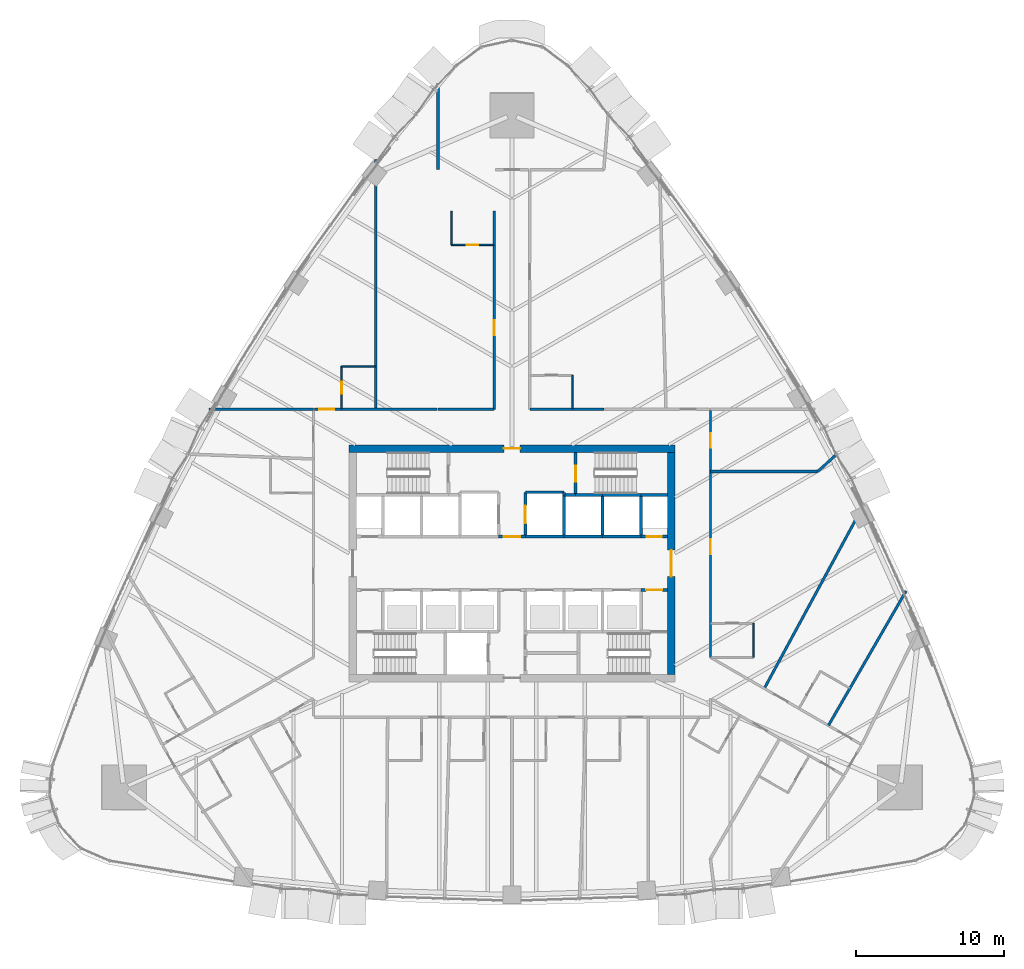
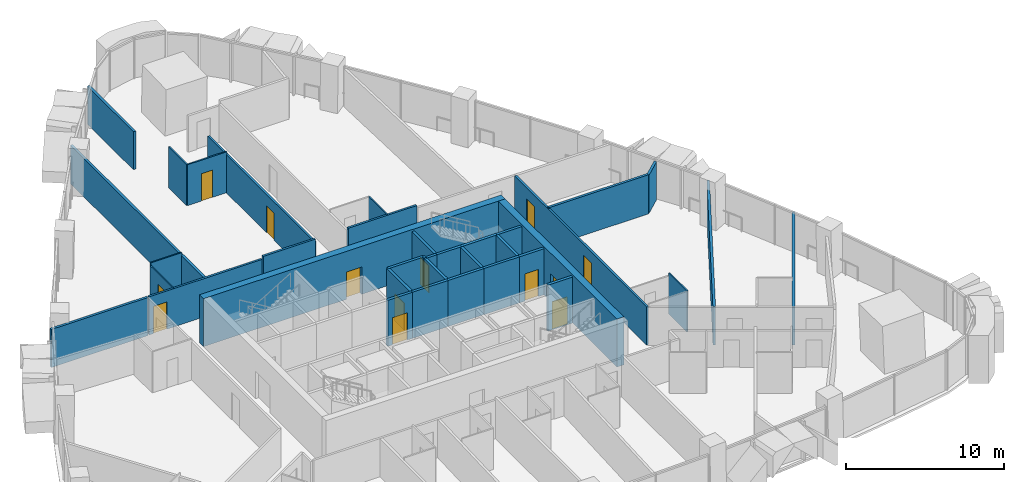
# One storey, part 13 of 18: 37 walls, 13 doors, 13 openings.
"""IFC4 building model written with IfcOpenShell, lengths in metres."""

from ifc_helpers import new_model, si_unit, direction, frame, frame_2d, origin, place, context, subcontext, project, spatial, rectangle, extrude, material, layer, layer_set, type_object, element, fill, save


model = new_model("IFC4")

# Units and contexts
model_context = context("Model", 3, precision=1e-05, world=origin(), true_north=direction((0.0, 1.0)))
body_context = subcontext(model_context, "Body", "Model", "MODEL_VIEW")
ifc_project = project(units=[si_unit("LENGTHUNIT", "METRE"), si_unit("AREAUNIT", "SQUARE_METRE"), si_unit("VOLUMEUNIT", "CUBIC_METRE"), si_unit("PLANEANGLEUNIT", "RADIAN"), si_unit("MASSUNIT", "GRAM", prefix="KILO")], contexts=[model_context])

# Site, building, storey
site_placement = place(None, origin())
site = spatial("IfcSite", under=ifc_project, at=site_placement, CompositionType="ELEMENT")
building_placement = place(site_placement, origin())
building = spatial("IfcBuilding", under=site, at=building_placement, Name="Sierra Prisma Convention Tower", CompositionType="ELEMENT")
storey_placement = place(building_placement, frame((0.0, 0.0, 81.300048828125)))
storey = spatial("IfcBuildingStorey", under=building, at=storey_placement, Name="L16", CompositionType="ELEMENT", Elevation=81.300048828125)

# Wall, opening, door
ifc_material_1 = material(Name="Gypsum board partition", Category="gypsum")
ifc_layer_1 = layer(ifc_material_1, 0.10009765625)
ifc_layer_set_1 = layer_set([ifc_layer_1], Name="Bathroom partition 100")
wall_type_1 = type_object("IfcWallType", Name="Bathroom partition 100", PredefinedType="PARTITIONING", material=ifc_layer_set_1)
wall_1_placement = place(storey_placement, frame((-11.5, 10.429931640625, 0.0), z_axis=(0.0, 0.0, 1.0), x_axis=(0.0, 1.0, 0.0)))
wall_1 = element("IfcWall", 1, at=wall_1_placement, inside=storey, type_object=wall_type_1, Name="Partition L16 bath 9", PredefinedType="PARTITIONING", context=body_context, shape_type="SweptSolid", body=[
    extrude(rectangle(XDim=2.8701171875, YDim=0.10009765625, at=frame_2d((1.43505859375, 0.0))), origin(), (0.0, 0.0, 1.0), 2.947021484375),
])
opening_1_placement = place(wall_1_placement, frame((1.034912109375, 0.0, 0.0)))
opening_1 = element("IfcOpeningElement", 2, at=opening_1_placement, cuts=wall_1, Name="Opening L16-D004", PredefinedType="OPENING", context=body_context, shape_type="SweptSolid", body=[
    extrude(rectangle(XDim=0.800048828125, YDim=2.10009765625, at=frame_2d((0.39990234375, 1.050048828125))), frame((0.0, 0.050048828125, 0.0), z_axis=(0.0, -1.0, 0.0), x_axis=(1.0, 0.0, 0.0)), (0.0, 0.0, 1.0), 0.10009765625),
])
ifc_material_2 = material(Name="Solid core timber door leaf", Category="wood")
door_type_1 = type_object("IfcDoorType", Name="Door 800x2100 plain", OperationType="SINGLE_SWING_LEFT", PredefinedType="DOOR", material=ifc_material_2)
door_1_placement = place(opening_1_placement, origin())
door_1 = element("IfcDoor", 3, at=door_1_placement, inside=storey, type_object=door_type_1, Name="Door L16 11", OperationType="SINGLE_SWING_RIGHT", OverallHeight=2.10009765625, OverallWidth=0.800048828125, PredefinedType="DOOR", context=body_context, shape_type="SweptSolid", body=[
    extrude(rectangle(XDim=0.800048828125, YDim=2.10009765625, at=frame_2d((0.39990234375, 1.050048828125))), frame((0.0, 0.02490234375, 0.0), z_axis=(0.0, -1.0, 0.0), x_axis=(1.0, 0.0, 0.0)), (0.0, 0.0, 1.0), 0.050048828125),
])
fill(opening_1, door_1)

# Wall
wall_2_placement = place(storey_placement, frame((-11.5, 13.300048828125, 0.0), z_axis=(0.0, 0.0, 1.0), x_axis=(1.0, 0.0, 0.0)))
element("IfcWall", 4, at=wall_2_placement, inside=storey, type_object=wall_type_1, Name="Partition L16 bath 10", PredefinedType="PARTITIONING", context=body_context, shape_type="SweptSolid", body=[
    extrude(rectangle(XDim=2.27001953125, YDim=0.10009765625, at=frame_2d((1.135009765625, 0.0))), origin(), (0.0, 0.0, 1.0), 3.14990234375),
])

# Wall, opening, door
wall_3_placement = place(storey_placement, frame((-1.22998046875, 21.5, 0.0), z_axis=(0.0, 0.0, 1.0), x_axis=(-1.0, 0.0, 0.0)))
wall_3 = element("IfcWall", 5, at=wall_3_placement, inside=storey, type_object=wall_type_1, Name="Partition L16 bath 15", PredefinedType="PARTITIONING", context=body_context, shape_type="SweptSolid", body=[
    extrude(rectangle(XDim=2.8701171875, YDim=0.10009765625, at=frame_2d((1.43505859375, 0.0))), origin(), (0.0, 0.0, 1.0), 3.14990234375),
])
opening_2_placement = place(wall_3_placement, frame((1.034912109375, 0.0, 0.0)))
opening_2 = element("IfcOpeningElement", 6, at=opening_2_placement, cuts=wall_3, Name="Opening L16-D003", PredefinedType="OPENING", context=body_context, shape_type="SweptSolid", body=[
    extrude(rectangle(XDim=0.800048828125, YDim=2.10009765625, at=frame_2d((0.39990234375, 1.050048828125))), frame((0.0, 0.050048828125, 0.0), z_axis=(0.0, -1.0, 0.0), x_axis=(1.0, 0.0, 0.0)), (0.0, 0.0, 1.0), 0.10009765625),
])
door_2_placement = place(opening_2_placement, origin())
door_2 = element("IfcDoor", 7, at=door_2_placement, inside=storey, type_object=door_type_1, Name="Door L16 9", OperationType="SINGLE_SWING_LEFT", OverallHeight=2.10009765625, OverallWidth=0.800048828125, PredefinedType="DOOR", context=body_context, shape_type="SweptSolid", body=[
    extrude(rectangle(XDim=0.800048828125, YDim=2.10009765625, at=frame_2d((0.39990234375, 1.050048828125))), frame((0.0, 0.02490234375, 0.0), z_axis=(0.0, -1.0, 0.0), x_axis=(1.0, 0.0, 0.0)), (0.0, 0.0, 1.0), 0.050048828125),
])
fill(opening_2, door_2)

# Walls
for number, where, z_axis, x_axis, name in (
    (8, (-4.10009765625, 21.5, 0.0), (0.0, 0.0, 1.0), (0.0, 1.0, 0.0), "Partition L16 bath 16"),
    (9, (4.10009765625, 12.699951171875, 0.0), (0.0, 0.0, 1.0), (0.0, -1.0, 0.0), "Partition L16 bath 20"),
):
    element("IfcWall", number, at=place(storey_placement, frame(where, z_axis=z_axis, x_axis=x_axis)), inside=storey, type_object=wall_type_1, Name=name, PredefinedType="PARTITIONING", context=body_context, shape_type="SweptSolid", body=[
        extrude(rectangle(XDim=2.27001953125, YDim=0.10009765625, at=frame_2d((1.135009765625, 0.0))), origin(), (0.0, 0.0, 1.0), 3.14990234375),
    ])
wall_4_placement = place(storey_placement, frame((16.300048828125, -4.05078125, 0.0), z_axis=(0.0, 0.0, 1.0), x_axis=(0.0, -1.0, 0.0)))
element("IfcWall", 10, at=wall_4_placement, inside=storey, type_object=wall_type_1, Name="Partition L16 bath 27", PredefinedType="PARTITIONING", context=body_context, shape_type="SweptSolid", body=[
    extrude(rectangle(XDim=2.300048828125, YDim=0.10009765625, at=frame_2d((1.14990234375, 0.0))), origin(), (0.0, 0.0, 1.0), 3.14990234375),
])

# Wall, opening, door
ifc_material_3 = material(Name="Concrete C30/37", Category="concrete")
ifc_layer_2 = layer(ifc_material_3, 0.199951171875)
ifc_layer_set_2 = layer_set([ifc_layer_2], Name="Core wall RC 200 C30/37")
wall_type_2 = type_object("IfcWallType", Name="Core wall RC 200 C30/37", PredefinedType="SOLIDWALL", material=ifc_layer_set_2)
wall_5_placement = place(storey_placement, frame((0.89990234375, 1.800048828125, 0.0), z_axis=(0.0, 0.0, 1.0), x_axis=(-1.0, 0.0, 0.0)))
wall_5 = element("IfcWall", 11, at=wall_5_placement, inside=storey, type_object=wall_type_2, Name="Core wall L16 33", PredefinedType="SOLIDWALL", context=body_context, shape_type="SweptSolid", body=[
    extrude(rectangle(XDim=1.7998046875, YDim=0.199951171875, at=frame_2d((0.89990234375, 0.0))), origin(), (0.0, 0.0, 1.0), 3.550048828125),
])
opening_3_placement = place(wall_5_placement, frame((0.35009765625, 0.0, 0.0)))
opening_3 = element("IfcOpeningElement", 12, at=opening_3_placement, cuts=wall_5, Name="Opening L16-D027", PredefinedType="OPENING", context=body_context, shape_type="SweptSolid", body=[
    extrude(rectangle(XDim=1.10009765625, YDim=2.10009765625, at=frame_2d((0.550048828125, 1.050048828125))), frame((0.0, 0.10009765625, 0.0), z_axis=(0.0, -1.0, 0.0), x_axis=(1.0, 0.0, 0.0)), (0.0, 0.0, 1.0), 0.199951171875),
])
ifc_material_4 = material(Name="Steel fire door leaf", Category="steel")
door_type_2 = type_object("IfcDoorType", Name="Door 1100x2100 FD60S", OperationType="SINGLE_SWING_LEFT", PredefinedType="DOOR", material=ifc_material_4)
door_3_placement = place(opening_3_placement, origin())
door_3 = element("IfcDoor", 13, at=door_3_placement, inside=storey, type_object=door_type_2, Name="Door L16 49", OperationType="SINGLE_SWING_RIGHT", OverallHeight=2.10009765625, OverallWidth=1.10009765625, PredefinedType="DOOR", context=body_context, shape_type="SweptSolid", body=[
    extrude(rectangle(XDim=1.10009765625, YDim=2.10009765625, at=frame_2d((0.550048828125, 1.050048828125))), frame((0.0, 0.02490234375, 0.0), z_axis=(0.0, -1.0, 0.0), x_axis=(1.0, 0.0, 0.0)), (0.0, 0.0, 1.0), 0.050048828125),
])
fill(opening_3, door_3)

# Walls
wall_6_placement = place(storey_placement, frame((3.5, 1.800048828125, 0.0), z_axis=(0.0, 0.0, 1.0), x_axis=(-1.0, 0.0, 0.0)))
element("IfcWall", 14, at=wall_6_placement, inside=storey, type_object=wall_type_2, Name="Core wall L16 40", PredefinedType="SOLIDWALL", context=body_context, shape_type="SweptSolid", body=[
    extrude(rectangle(XDim=2.60009765625, YDim=0.199951171875, at=frame_2d((1.300048828125, 0.0))), origin(), (0.0, 0.0, 1.0), 3.550048828125),
])
wall_7_placement = place(storey_placement, frame((3.5, 4.60009765625, 0.0), z_axis=(0.0, 0.0, 1.0), x_axis=(0.0, 1.0, 0.0)))
element("IfcWall", 15, at=wall_7_placement, inside=storey, type_object=wall_type_2, Name="Core wall L16 41", PredefinedType="SOLIDWALL", context=body_context, shape_type="SweptSolid", body=[
    extrude(rectangle(XDim=0.199951171875, YDim=0.199951171875, at=frame_2d((0.10009765625, 0.0))), origin(), (0.0, 0.0, 1.0), 3.550048828125),
])
wall_8_placement = place(storey_placement, frame((3.5, 4.800048828125, 0.0), z_axis=(0.0, 0.0, 1.0), x_axis=(-1.0, 0.0, 0.0)))
element("IfcWall", 16, at=wall_8_placement, inside=storey, type_object=wall_type_2, Name="Core wall L16 42", PredefinedType="SOLIDWALL", context=body_context, shape_type="SweptSolid", body=[
    extrude(rectangle(XDim=2.60009765625, YDim=0.199951171875, at=frame_2d((1.300048828125, 0.0))), origin(), (0.0, 0.0, 1.0), 3.550048828125),
])

# Wall, opening, door
wall_9_placement = place(storey_placement, frame((0.89990234375, 4.800048828125, 0.0), z_axis=(0.0, 0.0, 1.0), x_axis=(0.0, -1.0, 0.0)))
wall_9 = element("IfcWall", 17, at=wall_9_placement, inside=storey, type_object=wall_type_2, Name="Core wall L16 43", PredefinedType="SOLIDWALL", context=body_context, shape_type="SweptSolid", body=[
    extrude(rectangle(XDim=3.0, YDim=0.199951171875, at=frame_2d((1.5, 0.0))), origin(), (0.0, 0.0, 1.0), 3.550048828125),
])
opening_4_placement = place(wall_9_placement, frame((0.89990234375, 0.0, 0.0)))
opening_4 = element("IfcOpeningElement", 18, at=opening_4_placement, cuts=wall_9, Name="Opening L16-D023", PredefinedType="OPENING", context=body_context, shape_type="SweptSolid", body=[
    extrude(rectangle(XDim=1.199951171875, YDim=2.10009765625, at=frame_2d((0.60009765625, 1.050048828125))), frame((0.0, 0.10009765625, 0.0), z_axis=(0.0, -1.0, 0.0), x_axis=(1.0, 0.0, 0.0)), (0.0, 0.0, 1.0), 0.199951171875),
])
ifc_material_5 = material(Name="Steel fire door leaf", Category="steel")
door_type_3 = type_object("IfcDoorType", Name="Door 1200x2100 EI 90 sliding lift landing", OperationType="SLIDING_TO_LEFT", PredefinedType="DOOR", material=ifc_material_5)
door_4_placement = place(opening_4_placement, origin())
door_4 = element("IfcDoor", 19, at=door_4_placement, inside=storey, type_object=door_type_3, Name="Door L16 45", OperationType="SLIDING_TO_RIGHT", OverallHeight=2.10009765625, OverallWidth=1.199951171875, PredefinedType="DOOR", context=body_context, shape_type="SweptSolid", body=[
    extrude(rectangle(XDim=1.199951171875, YDim=2.10009765625, at=frame_2d((0.60009765625, 1.050048828125))), frame((0.0, 0.02490234375, 0.0), z_axis=(0.0, -1.0, 0.0), x_axis=(1.0, 0.0, 0.0)), (0.0, 0.0, 1.0), 0.050048828125),
])
fill(opening_4, door_4)

# Walls
wall_10_placement = place(storey_placement, frame((6.10009765625, 1.800048828125, 0.0), z_axis=(0.0, 0.0, 1.0), x_axis=(-1.0, 0.0, 0.0)))
element("IfcWall", 20, at=wall_10_placement, inside=storey, type_object=wall_type_2, Name="Core wall L16 47", PredefinedType="SOLIDWALL", context=body_context, shape_type="SweptSolid", body=[
    extrude(rectangle(XDim=2.60009765625, YDim=0.199951171875, at=frame_2d((1.300048828125, 0.0))), origin(), (0.0, 0.0, 1.0), 3.550048828125),
])
wall_11_placement = place(storey_placement, frame((3.5, 1.800048828125, 0.0), z_axis=(0.0, 0.0, 1.0), x_axis=(0.0, 1.0, 0.0)))
element("IfcWall", 21, at=wall_11_placement, inside=storey, type_object=wall_type_2, Name="Core wall L16 48", PredefinedType="SOLIDWALL", context=body_context, shape_type="SweptSolid", body=[
    extrude(rectangle(XDim=2.800048828125, YDim=0.199951171875, at=frame_2d((1.39990234375, 0.0))), origin(), (0.0, 0.0, 1.0), 3.550048828125),
])
wall_12_placement = place(storey_placement, frame((4.300048828125, 4.60009765625, 0.0), z_axis=(0.0, 0.0, 1.0), x_axis=(-1.0, 0.0, 0.0)))
element("IfcWall", 22, at=wall_12_placement, inside=storey, type_object=wall_type_2, Name="Core wall L16 49", PredefinedType="SOLIDWALL", context=body_context, shape_type="SweptSolid", body=[
    extrude(rectangle(XDim=0.800048828125, YDim=0.199951171875, at=frame_2d((0.39990234375, 0.0))), origin(), (0.0, 0.0, 1.0), 3.550048828125),
])
wall_13_placement = place(storey_placement, frame((6.10009765625, 4.60009765625, 0.0), z_axis=(0.0, 0.0, 1.0), x_axis=(-1.0, 0.0, 0.0)))
element("IfcWall", 23, at=wall_13_placement, inside=storey, type_object=wall_type_2, Name="Core wall L16 50", PredefinedType="SOLIDWALL", context=body_context, shape_type="SweptSolid", body=[
    extrude(rectangle(XDim=1.800048828125, YDim=0.199951171875, at=frame_2d((0.89990234375, 0.0))), origin(), (0.0, 0.0, 1.0), 3.550048828125),
])

# Wall, opening, door
wall_14_placement = place(storey_placement, frame((4.300048828125, 7.5, 0.0), z_axis=(0.0, 0.0, 1.0), x_axis=(0.0, -1.0, 0.0)))
wall_14 = element("IfcWall", 24, at=wall_14_placement, inside=storey, type_object=wall_type_2, Name="Core wall L16 51", PredefinedType="SOLIDWALL", context=body_context, shape_type="SweptSolid", body=[
    extrude(rectangle(XDim=2.89990234375, YDim=0.199951171875, at=frame_2d((1.449951171875, 0.0))), origin(), (0.0, 0.0, 1.0), 3.550048828125),
])
opening_5_placement = place(wall_14_placement, frame((0.89990234375, 0.0, 0.0)))
opening_5 = element("IfcOpeningElement", 25, at=opening_5_placement, cuts=wall_14, Name="Opening L16-D034", PredefinedType="OPENING", context=body_context, shape_type="SweptSolid", body=[
    extrude(rectangle(XDim=1.10009765625, YDim=2.10009765625, at=frame_2d((0.550048828125, 1.050048828125))), frame((0.0, 0.10009765625, 0.0), z_axis=(0.0, -1.0, 0.0), x_axis=(1.0, 0.0, 0.0)), (0.0, 0.0, 1.0), 0.199951171875),
])
ifc_material_6 = material(Name="Steel fire door leaf", Category="steel")
door_type_4 = type_object("IfcDoorType", Name="Door 1100x2100 FD90S", OperationType="SINGLE_SWING_LEFT", PredefinedType="DOOR", material=ifc_material_6)
door_5_placement = place(opening_5_placement, origin())
door_5 = element("IfcDoor", 26, at=door_5_placement, inside=storey, type_object=door_type_4, Name="Door L16 56", OperationType="SINGLE_SWING_LEFT", OverallHeight=2.10009765625, OverallWidth=1.10009765625, PredefinedType="DOOR", context=body_context, shape_type="SweptSolid", body=[
    extrude(rectangle(XDim=1.10009765625, YDim=2.10009765625, at=frame_2d((0.550048828125, 1.050048828125))), frame((0.0, 0.02490234375, 0.0), z_axis=(0.0, -1.0, 0.0), x_axis=(1.0, 0.0, 0.0)), (0.0, 0.0, 1.0), 0.050048828125),
])
fill(opening_5, door_5)

# Walls
wall_15_placement = place(storey_placement, frame((8.699951171875, 1.800048828125, 0.0), z_axis=(0.0, 0.0, 1.0), x_axis=(-1.0, 0.0, 0.0)))
element("IfcWall", 27, at=wall_15_placement, inside=storey, type_object=wall_type_2, Name="Core wall L16 58", PredefinedType="SOLIDWALL", context=body_context, shape_type="SweptSolid", body=[
    extrude(rectangle(XDim=2.599853515625, YDim=0.199951171875, at=frame_2d((1.2998046875, 0.0))), origin(), (0.0, 0.0, 1.0), 3.550048828125),
])
wall_16_placement = place(storey_placement, frame((6.10009765625, 1.800048828125, 0.0), z_axis=(0.0, 0.0, 1.0), x_axis=(0.0, 1.0, 0.0)))
element("IfcWall", 28, at=wall_16_placement, inside=storey, type_object=wall_type_2, Name="Core wall L16 59", PredefinedType="SOLIDWALL", context=body_context, shape_type="SweptSolid", body=[
    extrude(rectangle(XDim=2.800048828125, YDim=0.199951171875, at=frame_2d((1.39990234375, 0.0))), origin(), (0.0, 0.0, 1.0), 3.550048828125),
])
wall_17_placement = place(storey_placement, frame((8.699951171875, 4.60009765625, 0.0), z_axis=(0.0, 0.0, 1.0), x_axis=(-1.0, 0.0, 0.0)))
element("IfcWall", 29, at=wall_17_placement, inside=storey, type_object=wall_type_2, Name="Core wall L16 60", PredefinedType="SOLIDWALL", context=body_context, shape_type="SweptSolid", body=[
    extrude(rectangle(XDim=2.599853515625, YDim=0.199951171875, at=frame_2d((1.2998046875, 0.0))), origin(), (0.0, 0.0, 1.0), 3.550048828125),
])

# Wall, opening, door
wall_18_placement = place(storey_placement, frame((8.699951171875, -1.800048828125, 0.0), z_axis=(0.0, 0.0, 1.0), x_axis=(1.0, 0.0, 0.0)))
wall_18 = element("IfcWall", 30, at=wall_18_placement, inside=storey, type_object=wall_type_2, Name="Core wall L16 63", PredefinedType="SOLIDWALL", context=body_context, shape_type="SweptSolid", body=[
    extrude(rectangle(XDim=1.800048828125, YDim=0.199951171875, at=frame_2d((0.89990234375, 0.0))), origin(), (0.0, 0.0, 1.0), 3.550048828125),
])
opening_6_placement = place(wall_18_placement, frame((0.35009765625, 0.0, 0.0)))
opening_6 = element("IfcOpeningElement", 31, at=opening_6_placement, cuts=wall_18, Name="Opening L16-D026", PredefinedType="OPENING", context=body_context, shape_type="SweptSolid", body=[
    extrude(rectangle(XDim=1.10009765625, YDim=2.10009765625, at=frame_2d((0.550048828125, 1.050048828125))), frame((0.0, 0.10009765625, 0.0), z_axis=(0.0, -1.0, 0.0), x_axis=(1.0, 0.0, 0.0)), (0.0, 0.0, 1.0), 0.199951171875),
])
door_6_placement = place(opening_6_placement, origin())
door_6 = element("IfcDoor", 32, at=door_6_placement, inside=storey, type_object=door_type_4, Name="Door L16 48", OperationType="SINGLE_SWING_LEFT", OverallHeight=2.10009765625, OverallWidth=1.10009765625, PredefinedType="DOOR", context=body_context, shape_type="SweptSolid", body=[
    extrude(rectangle(XDim=1.10009765625, YDim=2.10009765625, at=frame_2d((0.550048828125, 1.050048828125))), frame((0.0, 0.02490234375, 0.0), z_axis=(0.0, -1.0, 0.0), x_axis=(1.0, 0.0, 0.0)), (0.0, 0.0, 1.0), 0.050048828125),
])
fill(opening_6, door_6)

wall_19_placement = place(storey_placement, frame((10.5, 1.800048828125, 0.0), z_axis=(0.0, 0.0, 1.0), x_axis=(-1.0, 0.0, 0.0)))
wall_19 = element("IfcWall", 33, at=wall_19_placement, inside=storey, type_object=wall_type_2, Name="Core wall L16 64", PredefinedType="SOLIDWALL", context=body_context, shape_type="SweptSolid", body=[
    extrude(rectangle(XDim=1.800048828125, YDim=0.199951171875, at=frame_2d((0.89990234375, 0.0))), origin(), (0.0, 0.0, 1.0), 3.550048828125),
])
opening_7_placement = place(wall_19_placement, frame((0.39990234375, 0.0, 0.0)))
opening_7 = element("IfcOpeningElement", 34, at=opening_7_placement, cuts=wall_19, Name="Opening L16-D030", PredefinedType="OPENING", context=body_context, shape_type="SweptSolid", body=[
    extrude(rectangle(XDim=1.0, YDim=2.10009765625, at=frame_2d((0.5, 1.050048828125))), frame((0.0, 0.10009765625, 0.0), z_axis=(0.0, -1.0, 0.0), x_axis=(1.0, 0.0, 0.0)), (0.0, 0.0, 1.0), 0.199951171875),
])
ifc_material_7 = material(Name="Steel fire door leaf", Category="steel")
door_type_5 = type_object("IfcDoorType", Name="Door 1000x2100 FD60S", OperationType="SINGLE_SWING_LEFT", PredefinedType="DOOR", material=ifc_material_7)
door_7_placement = place(opening_7_placement, origin())
door_7 = element("IfcDoor", 35, at=door_7_placement, inside=storey, type_object=door_type_5, Name="Door L16 52", OperationType="SINGLE_SWING_RIGHT", OverallHeight=2.10009765625, OverallWidth=1.0, PredefinedType="DOOR", context=body_context, shape_type="SweptSolid", body=[
    extrude(rectangle(XDim=1.0, YDim=2.10009765625, at=frame_2d((0.5, 1.050048828125))), frame((0.0, 0.02490234375, 0.0), z_axis=(0.0, -1.0, 0.0), x_axis=(1.0, 0.0, 0.0)), (0.0, 0.0, 1.0), 0.050048828125),
])
fill(opening_7, door_7)

# Walls
wall_20_placement = place(storey_placement, frame((8.699951171875, 4.60009765625, 0.0), z_axis=(0.0, 0.0, 1.0), x_axis=(0.0, -1.0, 0.0)))
element("IfcWall", 36, at=wall_20_placement, inside=storey, type_object=wall_type_2, Name="Core wall L16 65", PredefinedType="SOLIDWALL", context=body_context, shape_type="SweptSolid", body=[
    extrude(rectangle(XDim=2.800048828125, YDim=0.199951171875, at=frame_2d((1.39990234375, 0.0))), origin(), (0.0, 0.0, 1.0), 3.550048828125),
])
wall_21_placement = place(storey_placement, frame((10.5, 4.60009765625, 0.0), z_axis=(0.0, 0.0, 1.0), x_axis=(-1.0, 0.0, 0.0)))
element("IfcWall", 37, at=wall_21_placement, inside=storey, type_object=wall_type_2, Name="Core wall L16 66", PredefinedType="SOLIDWALL", context=body_context, shape_type="SweptSolid", body=[
    extrude(rectangle(XDim=1.800048828125, YDim=0.199951171875, at=frame_2d((0.89990234375, 0.0))), origin(), (0.0, 0.0, 1.0), 3.550048828125),
])

# Wall, opening, door
ifc_material_8 = material(Name="Concrete C60/75", Category="concrete")
ifc_layer_3 = layer(ifc_material_8, 0.5)
ifc_layer_set_3 = layer_set([ifc_layer_3], Name="Core wall RC 500 C60/75")
wall_type_3 = type_object("IfcWallType", Name="Core wall RC 500 C60/75", PredefinedType="SHEAR", material=ifc_layer_set_3)
wall_22_placement = place(storey_placement, frame((-11.0, 7.75, 0.0), z_axis=(0.0, 0.0, 1.0), x_axis=(1.0, 0.0, 0.0)))
wall_22 = element("IfcWall", 38, at=wall_22_placement, inside=storey, type_object=wall_type_3, Name="Core wall N L16", PredefinedType="SHEAR", context=body_context, shape_type="SweptSolid", body=[
    extrude(rectangle(XDim=22.0, YDim=0.5, at=frame_2d((11.0, 0.0))), origin(), (0.0, 0.0, 1.0), 3.699951171875),
])
opening_8_placement = place(wall_22_placement, frame((10.449951171875, 0.0, 0.0)))
opening_8 = element("IfcOpeningElement", 39, at=opening_8_placement, cuts=wall_22, Name="Opening L16-D060", PredefinedType="OPENING", context=body_context, shape_type="SweptSolid", body=[
    extrude(rectangle(XDim=1.10009765625, YDim=2.10009765625, at=frame_2d((0.550048828125, 1.050048828125))), frame((0.0, 0.25, 0.0), z_axis=(0.0, -1.0, 0.0), x_axis=(1.0, 0.0, 0.0)), (0.0, 0.0, 1.0), 0.5),
])
door_8_placement = place(opening_8_placement, origin())
door_8 = element("IfcDoor", 40, at=door_8_placement, inside=storey, type_object=door_type_2, Name="Door L16 61", OperationType="SINGLE_SWING_LEFT", OverallHeight=2.10009765625, OverallWidth=1.10009765625, PredefinedType="DOOR", context=body_context, shape_type="SweptSolid", body=[
    extrude(rectangle(XDim=1.10009765625, YDim=2.10009765625, at=frame_2d((0.550048828125, 1.050048828125))), frame((0.0, 0.02490234375, 0.0), z_axis=(0.0, -1.0, 0.0), x_axis=(1.0, 0.0, 0.0)), (0.0, 0.0, 1.0), 0.050048828125),
])
fill(opening_8, door_8)

wall_23_placement = place(storey_placement, frame((10.75, -7.5, 0.0), z_axis=(0.0, 0.0, 1.0), x_axis=(0.0, 1.0, 0.0)))
wall_23 = element("IfcWall", 41, at=wall_23_placement, inside=storey, type_object=wall_type_3, Name="Core wall E L16", PredefinedType="SHEAR", context=body_context, shape_type="SweptSolid", body=[
    extrude(rectangle(XDim=15.0, YDim=0.5, at=frame_2d((7.5, 0.0))), origin(), (0.0, 0.0, 1.0), 3.699951171875),
])
opening_9_placement = place(wall_23_placement, frame((6.60009765625, 0.0, 0.0)))
opening_9 = element("IfcOpeningElement", 42, at=opening_9_placement, cuts=wall_23, Name="Opening L16-D059", PredefinedType="OPENING", context=body_context, shape_type="SweptSolid", body=[
    extrude(rectangle(XDim=1.800048828125, YDim=2.10009765625, at=frame_2d((0.89990234375, 1.050048828125))), frame((0.0, 0.25, 0.0), z_axis=(0.0, -1.0, 0.0), x_axis=(1.0, 0.0, 0.0)), (0.0, 0.0, 1.0), 0.5),
])
ifc_material_9 = material(Name="Steel fire door leaf", Category="steel")
door_type_6 = type_object("IfcDoorType", Name="Door 1800x2100 FD60S", OperationType="DOUBLE_DOOR_SINGLE_SWING", PredefinedType="DOOR", material=ifc_material_9)
door_9_placement = place(opening_9_placement, origin())
door_9 = element("IfcDoor", 43, at=door_9_placement, inside=storey, type_object=door_type_6, Name="Door L16 60", OperationType="DOUBLE_DOOR_SINGLE_SWING", OverallHeight=2.10009765625, OverallWidth=1.800048828125, PredefinedType="DOOR", context=body_context, shape_type="SweptSolid", body=[
    extrude(rectangle(XDim=1.800048828125, YDim=2.10009765625, at=frame_2d((0.89990234375, 1.050048828125))), frame((0.0, 0.02490234375, 0.0), z_axis=(0.0, -1.0, 0.0), x_axis=(1.0, 0.0, 0.0)), (0.0, 0.0, 1.0), 0.050048828125),
])
fill(opening_9, door_9)

ifc_material_10 = material(Name="Gypsum board partition", Category="gypsum")
ifc_layer_4 = layer(ifc_material_10, 0.14990234375)
ifc_layer_set_4 = layer_set([ifc_layer_4], Name="Corridor wall 150 gypsum EI 60")
wall_type_4 = type_object("IfcWallType", Name="Corridor wall 150 gypsum EI 60", PredefinedType="PARTITIONING", material=ifc_layer_set_4)
wall_24_placement = place(storey_placement, frame((-5.080078125, 10.39990234375, 0.0), z_axis=(0.0, 0.0, 1.0), x_axis=(-1.0, 0.0, 0.0)))
wall_24 = element("IfcWall", 44, at=wall_24_placement, inside=storey, type_object=wall_type_4, Name="Partition L16 corr 7", PredefinedType="PARTITIONING", context=body_context, shape_type="SweptSolid", body=[
    extrude(rectangle(XDim=8.239990234375, YDim=0.14990234375, at=frame_2d((4.1201171875, 0.0))), origin(), (0.0, 0.0, 1.0), 2.947021484375),
])
opening_10_placement = place(wall_24_placement, frame((6.929931640625, 0.0, 0.0)))
opening_10 = element("IfcOpeningElement", 45, at=opening_10_placement, cuts=wall_24, Name="Opening L16-D043", PredefinedType="OPENING", context=body_context, shape_type="SweptSolid", body=[
    extrude(rectangle(XDim=1.0, YDim=2.10009765625, at=frame_2d((0.5, 1.050048828125))), frame((0.0, 0.074951171875, 0.0), z_axis=(0.0, -1.0, 0.0), x_axis=(1.0, 0.0, 0.0)), (0.0, 0.0, 1.0), 0.14990234375),
])
ifc_material_11 = material(Name="Steel fire door leaf", Category="steel")
door_type_7 = type_object("IfcDoorType", Name="Door 1000x2100 FD30S", OperationType="SINGLE_SWING_LEFT", PredefinedType="DOOR", material=ifc_material_11)
door_10_placement = place(opening_10_placement, origin())
door_10 = element("IfcDoor", 46, at=door_10_placement, inside=storey, type_object=door_type_7, Name="Door L16 10", OperationType="SINGLE_SWING_RIGHT", OverallHeight=2.10009765625, OverallWidth=1.0, PredefinedType="DOOR", context=body_context, shape_type="SweptSolid", body=[
    extrude(rectangle(XDim=1.0, YDim=2.10009765625, at=frame_2d((0.5, 1.050048828125))), frame((0.0, 0.02490234375, 0.0), z_axis=(0.0, -1.0, 0.0), x_axis=(1.0, 0.0, 0.0)), (0.0, 0.0, 1.0), 0.050048828125),
])
fill(opening_10, door_10)

wall_25_placement = place(storey_placement, frame((-1.199951171875, 23.800048828125, 0.0), z_axis=(0.0, 0.0, 1.0), x_axis=(0.0, -1.0, 0.0)))
wall_25 = element("IfcWall", 47, at=wall_25_placement, inside=storey, type_object=wall_type_4, Name="Partition L16 corr 8", PredefinedType="PARTITIONING", context=body_context, shape_type="SweptSolid", body=[
    extrude(rectangle(XDim=13.400146484375, YDim=0.14990234375, at=frame_2d((6.7001953125, 0.0))), origin(), (0.0, 0.0, 1.0), 2.947021484375),
])
opening_11_placement = place(wall_25_placement, frame((7.39990234375, 0.0, 0.0)))
opening_11 = element("IfcOpeningElement", 48, at=opening_11_placement, cuts=wall_25, Name="Opening L16-D042", PredefinedType="OPENING", context=body_context, shape_type="SweptSolid", body=[
    extrude(rectangle(XDim=1.0, YDim=2.10009765625, at=frame_2d((0.5, 1.050048828125))), frame((0.0, 0.074951171875, 0.0), z_axis=(0.0, -1.0, 0.0), x_axis=(1.0, 0.0, 0.0)), (0.0, 0.0, 1.0), 0.14990234375),
])
door_11_placement = place(opening_11_placement, origin())
door_11 = element("IfcDoor", 49, at=door_11_placement, inside=storey, type_object=door_type_7, Name="Door L16 8", OperationType="SINGLE_SWING_LEFT", OverallHeight=2.10009765625, OverallWidth=1.0, PredefinedType="DOOR", context=body_context, shape_type="SweptSolid", body=[
    extrude(rectangle(XDim=1.0, YDim=2.10009765625, at=frame_2d((0.5, 1.050048828125))), frame((0.0, 0.02490234375, 0.0), z_axis=(0.0, -1.0, 0.0), x_axis=(1.0, 0.0, 0.0)), (0.0, 0.0, 1.0), 0.050048828125),
])
fill(opening_11, door_11)

# Walls
wall_26_placement = place(storey_placement, frame((-1.199951171875, 10.39990234375, 0.0), z_axis=(0.0, 0.0, 1.0), x_axis=(-1.0, 0.0, 0.0)))
element("IfcWall", 50, at=wall_26_placement, inside=storey, type_object=wall_type_4, Name="Partition L16 corr 9", PredefinedType="PARTITIONING", context=body_context, shape_type="SweptSolid", body=[
    extrude(rectangle(XDim=3.800048828125, YDim=0.14990234375, at=frame_2d((1.89990234375, 0.0))), origin(), (0.0, 0.0, 1.0), 3.14990234375),
])
wall_27_placement = place(storey_placement, frame((6.199951171875, 10.39990234375, 0.0), z_axis=(0.0, 0.0, 1.0), x_axis=(-1.0, 0.0, 0.0)))
element("IfcWall", 51, at=wall_27_placement, inside=storey, type_object=wall_type_4, Name="Partition L16 corr 11", PredefinedType="PARTITIONING", context=body_context, shape_type="SweptSolid", body=[
    extrude(rectangle(XDim=5.0, YDim=0.14990234375, at=frame_2d((2.5, 0.0))), origin(), (0.0, 0.0, 1.0), 3.14990234375),
])

# Wall, openings, doors
wall_28_placement = place(storey_placement, frame((13.39990234375, -6.350830078125, 0.0), z_axis=(0.0, 0.0, 1.0), x_axis=(0.0, 1.0, 0.0)))
wall_28 = element("IfcWall", 52, at=wall_28_placement, inside=storey, type_object=wall_type_4, Name="Partition L16 corr 17", PredefinedType="PARTITIONING", context=body_context, shape_type="SweptSolid", body=[
    extrude(rectangle(XDim=16.6708984375, YDim=0.14990234375, at=frame_2d((8.33544921875, 0.0))), origin(), (0.0, 0.0, 1.0), 2.947021484375),
])
opening_12_placement = place(wall_28_placement, frame((6.9755859375, 0.0, 0.0)))
opening_12 = element("IfcOpeningElement", 53, at=opening_12_placement, cuts=wall_28, Name="Opening L16-D037", PredefinedType="OPENING", context=body_context, shape_type="SweptSolid", body=[
    extrude(rectangle(XDim=1.0, YDim=2.10009765625, at=frame_2d((0.5, 1.050048828125))), frame((0.0, 0.074951171875, 0.0), z_axis=(0.0, -1.0, 0.0), x_axis=(1.0, 0.0, 0.0)), (0.0, 0.0, 1.0), 0.14990234375),
])
opening_13_placement = place(wall_28_placement, frame((14.15087890625, 0.0, 0.0)))
opening_13 = element("IfcOpeningElement", 54, at=opening_13_placement, cuts=wall_28, Name="Opening L16-D038", PredefinedType="OPENING", context=body_context, shape_type="SweptSolid", body=[
    extrude(rectangle(XDim=1.0, YDim=2.10009765625, at=frame_2d((0.5, 1.050048828125))), frame((0.0, 0.074951171875, 0.0), z_axis=(0.0, -1.0, 0.0), x_axis=(1.0, 0.0, 0.0)), (0.0, 0.0, 1.0), 0.14990234375),
])
door_12_placement = place(opening_12_placement, origin())
door_12 = element("IfcDoor", 55, at=door_12_placement, inside=storey, type_object=door_type_7, Name="Door L16 1", OperationType="SINGLE_SWING_LEFT", OverallHeight=2.10009765625, OverallWidth=1.0, PredefinedType="DOOR", context=body_context, shape_type="SweptSolid", body=[
    extrude(rectangle(XDim=1.0, YDim=2.10009765625, at=frame_2d((0.5, 1.050048828125))), frame((0.0, 0.02490234375, 0.0), z_axis=(0.0, -1.0, 0.0), x_axis=(1.0, 0.0, 0.0)), (0.0, 0.0, 1.0), 0.050048828125),
])
fill(opening_12, door_12)
door_13_placement = place(opening_13_placement, origin())
door_13 = element("IfcDoor", 56, at=door_13_placement, inside=storey, type_object=door_type_7, Name="Door L16 3", OperationType="SINGLE_SWING_LEFT", OverallHeight=2.10009765625, OverallWidth=1.0, PredefinedType="DOOR", context=body_context, shape_type="SweptSolid", body=[
    extrude(rectangle(XDim=1.0, YDim=2.10009765625, at=frame_2d((0.5, 1.050048828125))), frame((0.0, 0.02490234375, 0.0), z_axis=(0.0, -1.0, 0.0), x_axis=(1.0, 0.0, 0.0)), (0.0, 0.0, 1.0), 0.050048828125),
])
fill(opening_13, door_13)

# Walls
ifc_material_12 = material(Name="Acoustic gypsum board partition", Category="gypsum")
ifc_layer_5 = layer(ifc_material_12, 0.175048828125)
ifc_layer_set_5 = layer_set([ifc_layer_5], Name="Guest room party wall 175 acoustic EI 60")
wall_type_5 = type_object("IfcWallType", Name="Guest room party wall 175 acoustic EI 60", PredefinedType="PARTITIONING", material=ifc_layer_set_5)
wall_29_placement = place(storey_placement, frame((-13.39990234375, 10.39990234375, 0.0), z_axis=(0.0, 0.0, 1.0), x_axis=(-1.0, 0.0, 0.0)))
element("IfcWall", 57, at=wall_29_placement, inside=storey, type_object=wall_type_5, Name="Partition L16 hparty 6", PredefinedType="PARTITIONING", context=body_context, shape_type="SweptSolid", body=[
    extrude(rectangle(XDim=7.0546875, YDim=0.175048828125, at=frame_2d((3.52734375, 0.0))), origin(), (0.0, 0.0, 1.0), 2.933837890625),
])
wall_30_placement = place(storey_placement, frame((-9.199951171875, 10.39990234375, 0.0), z_axis=(0.0, 0.0, 1.0), x_axis=(0.0, 1.0, 0.0)))
element("IfcWall", 58, at=wall_30_placement, inside=storey, type_object=wall_type_5, Name="Partition L16 hparty 8", PredefinedType="PARTITIONING", context=body_context, shape_type="SweptSolid", body=[
    extrude(rectangle(XDim=16.869873046875, YDim=0.175048828125, at=frame_2d((8.43505859375, 0.0))), origin(), (0.0, 0.0, 1.0), 2.947021484375),
])
wall_31_placement = place(storey_placement, frame((-5.0, 32.40185546875, 0.0), z_axis=(0.0, 0.0, 1.0), x_axis=(0.0, -1.0, 0.0)))
element("IfcWall", 59, at=wall_31_placement, inside=storey, type_object=wall_type_5, Name="Partition L16 hparty 10", PredefinedType="PARTITIONING", context=body_context, shape_type="SweptSolid", body=[
    extrude(rectangle(XDim=5.8212890625, YDim=0.175048828125, at=frame_2d((2.91064453125, 0.0))), origin(), (0.0, 0.0, 1.0), 2.933837890625),
])
wall_32_placement = place(storey_placement, frame((13.39990234375, 6.199951171875, 0.0), z_axis=(0.0, 0.0, 1.0), x_axis=(1.0, 0.0, 0.0)))
element("IfcWall", 60, at=wall_32_placement, inside=storey, type_object=wall_type_5, Name="Partition L16 hparty 20", PredefinedType="PARTITIONING", context=body_context, shape_type="SweptSolid", body=[
    extrude(rectangle(XDim=7.246337890625, YDim=0.175048828125, at=frame_2d((3.623046875, 0.0))), origin(), (0.0, 0.0, 1.0), 3.016845703125),
])
wall_33_placement = place(storey_placement, frame((20.646240234375, 6.199951171875, 0.0), z_axis=(0.0, 0.0, 1.0), x_axis=(0.738108499595, 0.674682030905, 0.0)))
element("IfcWall", 61, at=wall_33_placement, inside=storey, type_object=wall_type_5, Name="Partition L16 hparty 21", PredefinedType="PARTITIONING", context=body_context, shape_type="SweptSolid", body=[
    extrude(rectangle(XDim=1.61279296875, YDim=0.175048828125, at=frame_2d((0.806396484375, 0.0))), origin(), (0.0, 0.0, 1.0), 2.933837890625),
])
wall_34_placement = place(storey_placement, frame((23.68505859375, 3.826416015625, 0.0), z_axis=(0.0, 0.0, 1.0), x_axis=(-0.476143437268, -0.879367629121, 0.0)))
element("IfcWall", 62, at=wall_34_placement, inside=storey, type_object=wall_type_5, Name="Partition L16 hparty 23", PredefinedType="PARTITIONING", context=body_context, shape_type="SweptSolid", body=[
    extrude(rectangle(XDim=13.961669921875, YDim=0.175048828125, at=frame_2d((6.98095703125, 0.0))), origin(), (0.0, 0.0, 1.0), 2.947021484375),
])
wall_35_placement = place(storey_placement, frame((26.60986328125, -1.870849609375, 0.0), z_axis=(0.0, 0.0, 1.0), x_axis=(-0.500003296978, -0.866023500265, 0.0)))
element("IfcWall", 63, at=wall_35_placement, inside=storey, type_object=wall_type_5, Name="Partition L16 hparty 25", PredefinedType="PARTITIONING", context=body_context, shape_type="SweptSolid", body=[
    extrude(rectangle(XDim=10.48486328125, YDim=0.175048828125, at=frame_2d((5.242431640625, 0.0))), origin(), (0.0, 0.0, 1.0), 2.933837890625),
])

save(model, "model.ifc")
